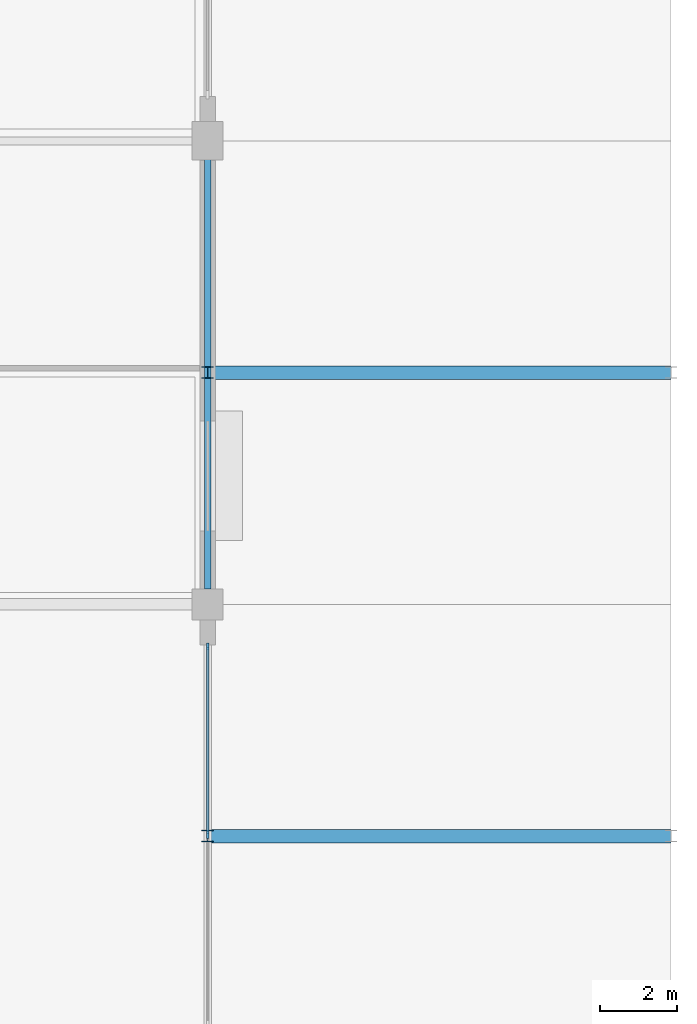
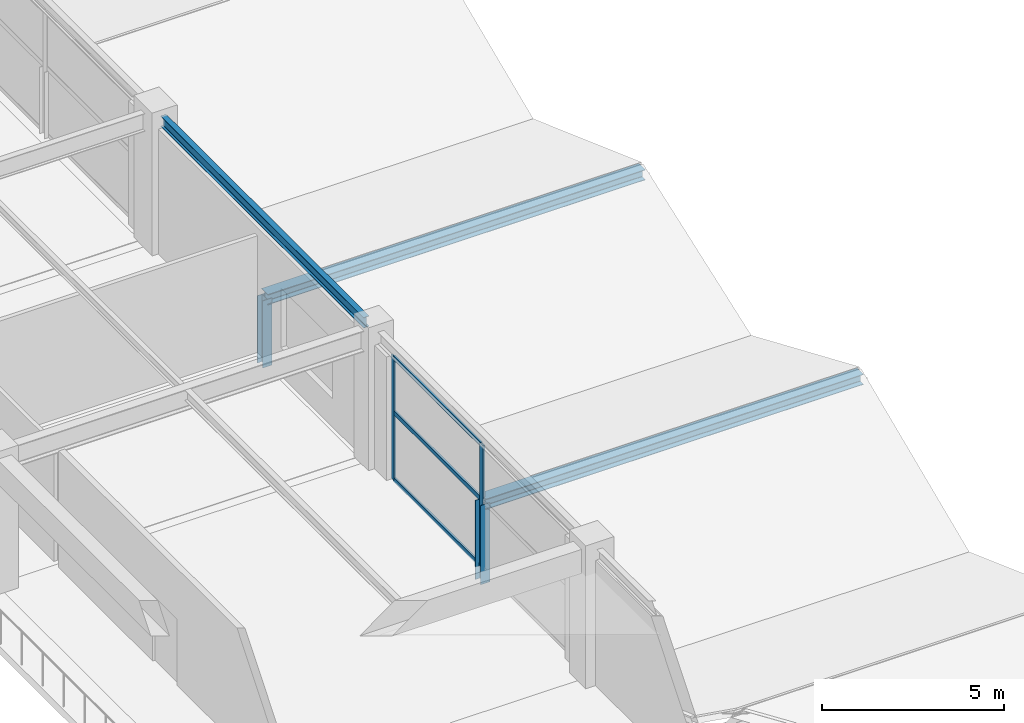
# One storey, part 45 of 134: 9 members, 1 beam, 1 element without a shape of its own.
"""IFC4 building model written with IfcOpenShell, lengths in metres."""

from ifc_helpers import new_model, si_unit, direction, frame, origin, origin_2d, place, context, subcontext, project, spatial, rectangle, i_section, extrude, material, layer, layer_set, material_profile, profile_set, type_object, element, aggregate, save


model = new_model("IFC4")

# Units and contexts
model_context = context("Model", 3, precision=1e-05, world=origin(), true_north=direction((0.0, 1.0)))
body_context = subcontext(model_context, "Body", "Model", "MODEL_VIEW")
ifc_project = project(units=[si_unit("LENGTHUNIT", "METRE"), si_unit("AREAUNIT", "SQUARE_METRE"), si_unit("VOLUMEUNIT", "CUBIC_METRE"), si_unit("PLANEANGLEUNIT", "RADIAN"), si_unit("MASSUNIT", "GRAM", prefix="KILO")], contexts=[model_context])

# Site, building, storey
site_placement = place(None, origin())
site = spatial("IfcSite", under=ifc_project, at=site_placement, CompositionType="ELEMENT")
building_placement = place(site_placement, origin())
building = spatial("IfcBuilding", under=site, at=building_placement, Name="Kazenohara Klinker Stadium", CompositionType="ELEMENT")
storey_placement = place(building_placement, frame((0.0, 0.0, 5.39990234375)))
storey = spatial("IfcBuildingStorey", under=building, at=storey_placement, Name="L01", CompositionType="ELEMENT", Elevation=5.39990234375)

# Beam
ifc_material_1 = material(Name="Steel S355", Category="steel")
ifc_material_profile_1 = material_profile(ifc_material_1, i_section(OverallWidth=0.175048828125, OverallDepth=0.35009765625, WebThickness=0.007080078125, FlangeThickness=0.010986328125, FilletRadius=0.012939453125, at=origin_2d()), Name="H-350x175x7x11")
ifc_profile_set_1 = profile_set([ifc_material_profile_1], Name="Steel S355")
beam_type = type_object("IfcBeamType", Name="BM-SPD02", PredefinedType="SPANDREL", material=ifc_profile_set_1)
beam_placement = place(storey_placement, frame((212.0, 72.39990234375, 4.375), z_axis=(0.0, 1.0, 0.0), x_axis=(-1.0, 0.0, 0.0)))
element("IfcBeam", 1, at=beam_placement, inside=storey, type_object=beam_type, Name="Primary girder SP02 L01 18/G-H", PredefinedType="SPANDREL", context=body_context, shape_type="SweptSolid", body=[
    extrude(i_section(OverallWidth=0.175048828125, OverallDepth=0.35009765625, WebThickness=0.007080078125, FlangeThickness=0.010986328125, FilletRadius=0.012939453125, at=origin_2d()), origin(), (0.0, 0.0, 1.0), 11.18017578125),
])

# Curtain wall, members
ifc_material_2 = material(Name="Anodised aluminium and triple glazing", Category="aluminium")
ifc_layer = layer(ifc_material_2, 0.199951171875)
ifc_layer_set = layer_set([ifc_layer], Name="Anodised aluminium and triple glazing")
curtain_wall_type = type_object("IfcCurtainWallType", Name="CW-SYS-03", PredefinedType="USERDEFINED", material=ifc_layer_set)
curtain_wall_placement = place(storey_placement, origin())
curtain_wall = element("IfcCurtainWall", 2, at=curtain_wall_placement, inside=storey, type_object=curtain_wall_type, Name="Unitised facade curtain wall CW03 L01 Y17-5", ObjectType="UNITISED CURTAIN WALL", PredefinedType="USERDEFINED")
ifc_material_3 = material(Name="Anodised aluminium 6063-T6", Category="aluminium")
ifc_material_profile_2 = material_profile(ifc_material_3, rectangle(XDim=0.06494140625, YDim=0.179931640625, at=origin_2d()), Name="ALU-MUL-65x180")
ifc_profile_set_2 = profile_set([ifc_material_profile_2], Name="Anodised aluminium 6063-T6")
member_type_1 = type_object("IfcMemberType", Name="CW-MUL-180", PredefinedType="MULLION", material=ifc_profile_set_2)
member_1_placement = place(storey_placement, frame((212.0, 66.02490234375, 0.0), z_axis=(0.0, 0.0, 1.0), x_axis=(-1.0, 0.0, 0.0)))
member_1 = element("IfcMember", 3, at=member_1_placement, type_object=member_type_1, Name="CW03 mullion 2", PredefinedType="MULLION", context=body_context, shape_type="SweptSolid", body=[
    extrude(rectangle(XDim=0.06494140625, YDim=0.179931640625, at=origin_2d()), origin(), (0.0, 0.0, 1.0), 4.150146484375),
])
member_2_placement = place(storey_placement, frame((212.0, 70.91357421875, 0.0), z_axis=(0.0, 0.0, 1.0), x_axis=(-1.0, 0.0, 0.0)))
member_2 = element("IfcMember", 4, at=member_2_placement, type_object=member_type_1, Name="CW03 mullion 3", PredefinedType="MULLION", context=body_context, shape_type="SweptSolid", body=[
    extrude(rectangle(XDim=0.06494140625, YDim=0.179931640625, at=origin_2d()), origin(), (0.0, 0.0, 1.0), 4.150146484375),
])
ifc_material_profile_3 = material_profile(ifc_material_3, rectangle(XDim=0.06494140625, YDim=0.139892578125, at=origin_2d()), Name="ALU-TRN-65x140")
ifc_profile_set_3 = profile_set([ifc_material_profile_3], Name="Anodised aluminium 6063-T6")
member_type_2 = type_object("IfcMemberType", Name="CW-TRN-140", PredefinedType="USERDEFINED", material=ifc_profile_set_3)
member_3_placement = place(storey_placement, frame((212.0, 66.0576171875, 0.03271484375), z_axis=(0.0, 1.0, 0.0), x_axis=(-1.0, 0.0, 0.0)))
member_3 = element("IfcMember", 5, at=member_3_placement, type_object=member_type_2, Name="CW03 transom 2.1", ObjectType="TRANSOM", PredefinedType="USERDEFINED", context=body_context, shape_type="SweptSolid", body=[
    extrude(rectangle(XDim=0.06494140625, YDim=0.139892578125, at=origin_2d()), origin(), (0.0, 0.0, 1.0), 4.823486328125),
])
member_4_placement = place(storey_placement, frame((212.0, 66.0576171875, 2.28271484375), z_axis=(0.0, 1.0, 0.0), x_axis=(-1.0, 0.0, 0.0)))
member_4 = element("IfcMember", 6, at=member_4_placement, type_object=member_type_2, Name="CW03 transom 2.2", ObjectType="TRANSOM", PredefinedType="USERDEFINED", context=body_context, shape_type="SweptSolid", body=[
    extrude(rectangle(XDim=0.06494140625, YDim=0.139892578125, at=origin_2d()), origin(), (0.0, 0.0, 1.0), 4.823486328125),
])
member_5_placement = place(storey_placement, frame((212.0, 66.0576171875, 4.11767578125), z_axis=(0.0, 1.0, 0.0), x_axis=(-1.0, 0.0, 0.0)))
member_5 = element("IfcMember", 7, at=member_5_placement, type_object=member_type_2, Name="CW03 transom 2.3", ObjectType="TRANSOM", PredefinedType="USERDEFINED", context=body_context, shape_type="SweptSolid", body=[
    extrude(rectangle(XDim=0.06494140625, YDim=0.139892578125, at=origin_2d()), origin(), (0.0, 0.0, 1.0), 4.823486328125),
])
aggregate(curtain_wall, [member_1, member_2, member_3, member_4, member_5])

# Members
ifc_material_profile_4 = material_profile(ifc_material_1, i_section(OverallWidth=0.35009765625, OverallDepth=0.35009765625, WebThickness=0.011962890625, FlangeThickness=0.01904296875, FilletRadius=0.012939453125, at=origin_2d()), Name="H-350x350x12x19")
ifc_profile_set_4 = profile_set([ifc_material_profile_4], Name="Steel S355")
member_type_3 = type_object("IfcMemberType", Name="MEM-CHD02", PredefinedType="CHORD", material=ifc_profile_set_4)
for number, where, z_axis, x_axis, name in (
    (8, (212.0, 66.0, 2.22998046875), (1.0, 0.0, 0.0), (0.0, 1.0, 0.0), "Stepped pavilion gable ridge beam L01 18/F"),
    (9, (212.0, 78.0, 1.830078125), (1.0, 0.0, 0.0), (0.0, 1.0, 0.0), "Stepped pavilion gable ridge beam L01 18/G"),
):
    element("IfcMember", number, at=place(storey_placement, frame(where, z_axis=z_axis, x_axis=x_axis)), inside=storey, type_object=member_type_3, Name=name, PredefinedType="CHORD", context=body_context, shape_type="SweptSolid", body=[
        extrude(i_section(OverallWidth=0.35009765625, OverallDepth=0.35009765625, WebThickness=0.011962890625, FlangeThickness=0.01904296875, FilletRadius=0.012939453125, at=origin_2d()), origin(), (0.0, 0.0, 1.0), 12.0),
    ])
ifc_material_profile_5 = material_profile(ifc_material_1, i_section(OverallWidth=0.300048828125, OverallDepth=0.300048828125, WebThickness=0.010009765625, FlangeThickness=0.014892578125, FilletRadius=0.012939453125, at=origin_2d()), Name="H-300x300x10x15")
ifc_profile_set_5 = profile_set([ifc_material_profile_5], Name="Steel S355")
member_type_4 = type_object("IfcMemberType", Name="MEM-STR01", PredefinedType="STRUT", material=ifc_profile_set_5)
member_6_placement = place(storey_placement, frame((212.0, 66.0, -0.429931640625), z_axis=(0.0, 0.0, 1.0), x_axis=(1.0, 0.0, 0.0)))
element("IfcMember", 10, at=member_6_placement, inside=storey, type_object=member_type_4, Name="Stepped pavilion gable king-post L01 18/F W", PredefinedType="STRUT", context=body_context, shape_type="SweptSolid", body=[
    extrude(i_section(OverallWidth=0.300048828125, OverallDepth=0.300048828125, WebThickness=0.010009765625, FlangeThickness=0.014892578125, FilletRadius=0.012939453125, at=origin_2d()), origin(), (0.0, 0.0, 1.0), 2.659912109375),
])
member_7_placement = place(storey_placement, frame((212.0, 78.0, -0.429931640625), z_axis=(0.0, 0.0, 1.0), x_axis=(1.0, 0.0, 0.0)))
element("IfcMember", 11, at=member_7_placement, inside=storey, type_object=member_type_4, Name="Stepped pavilion gable king-post L01 18/G W", PredefinedType="STRUT", context=body_context, shape_type="SweptSolid", body=[
    extrude(i_section(OverallWidth=0.300048828125, OverallDepth=0.300048828125, WebThickness=0.010009765625, FlangeThickness=0.014892578125, FilletRadius=0.012939453125, at=origin_2d()), origin(), (0.0, 0.0, 1.0), 2.260009765625),
])

save(model, "model.ifc")
